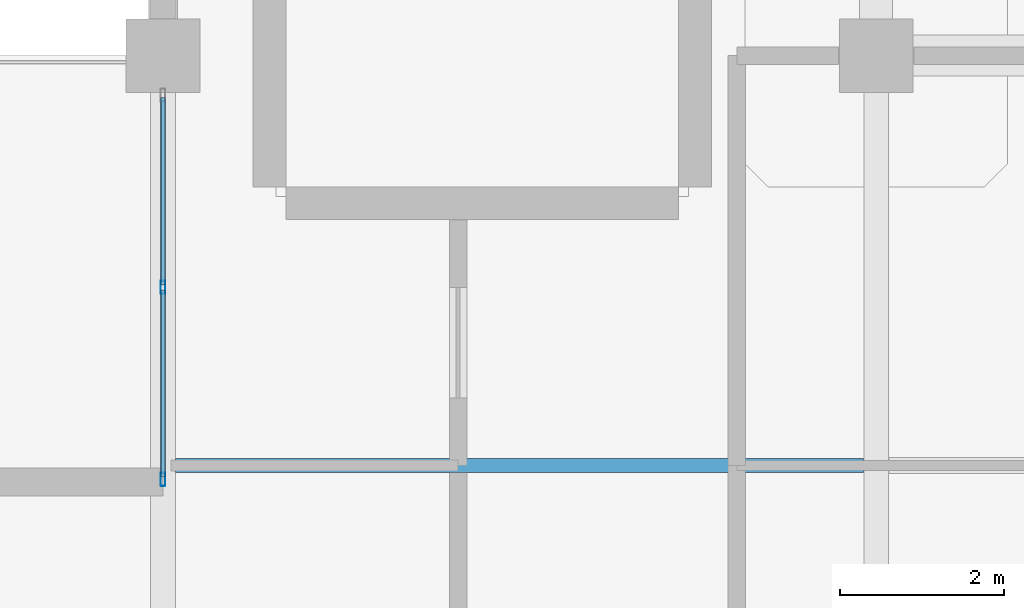
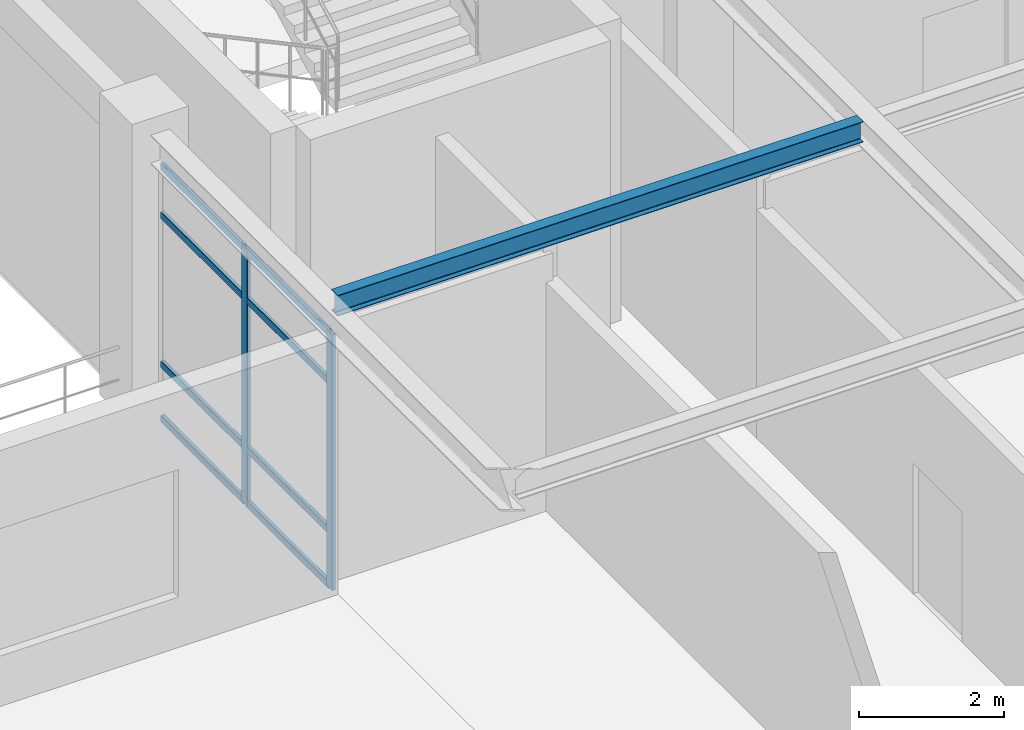
# One storey, part 23 of 120: 10 members, 1 beam, 1 element without a shape of its own.
"""IFC4 building model written with IfcOpenShell, lengths in metres."""

from ifc_helpers import new_model, si_unit, derived_unit, direction, frame, origin, origin_2d, place, context, subcontext, project, spatial, hollow_rectangle, i_section, extrude, material, layer, layer_set, material_profile, profile_set, type_object, element, aggregate, save


model = new_model("IFC4")

# Units and contexts
model_context = context("Model", 3, precision=1e-05, world=origin(), true_north=direction((0.0, 1.0)))
body_context = subcontext(model_context, "Body", "Model", "MODEL_VIEW")
ifc_project = project(units=[si_unit("LENGTHUNIT", "METRE"), si_unit("AREAUNIT", "SQUARE_METRE"), si_unit("VOLUMEUNIT", "CUBIC_METRE"), si_unit("PLANEANGLEUNIT", "RADIAN"), si_unit("MASSUNIT", "GRAM", prefix="KILO"), derived_unit("THERMALTRANSMITTANCEUNIT", [(si_unit("MASSUNIT", "GRAM", prefix="KILO"), 1), (si_unit("TIMEUNIT", "SECOND"), -3), (si_unit("THERMODYNAMICTEMPERATUREUNIT", "KELVIN"), -1)])], contexts=[model_context])

# Site, building, storey
site_placement = place(None, origin())
site = spatial("IfcSite", under=ifc_project, at=site_placement, CompositionType="ELEMENT")
building_placement = place(site_placement, origin())
building = spatial("IfcBuilding", under=site, at=building_placement, Name="Qinzheling Arcade Emporium", CompositionType="ELEMENT")
storey_placement = place(building_placement, frame((0.0, 0.0, 11.39990234375)))
storey = spatial("IfcBuildingStorey", under=building, at=storey_placement, Name="L03", CompositionType="ELEMENT", Elevation=11.39990234375)

# Beam
ifc_material_1 = material(Name="Structural steel Q355B", Category="steel")
ifc_material_profile_1 = material_profile(ifc_material_1, i_section(OverallWidth=0.175048828125, OverallDepth=0.35009765625, WebThickness=0.007080078125, FlangeThickness=0.010986328125, FilletRadius=0.013916015625, at=origin_2d()), Name="HN 350x175x7x11", Category="steel")
ifc_profile_set_1 = profile_set([ifc_material_profile_1], Name="Structural steel Q355B")
beam_type = type_object("IfcBeamType", Name="Canopy Secondary Joist HN350 Q355B", PredefinedType="JOIST", material=ifc_profile_set_1)
beam_placement = place(storey_placement, frame((34.955078125, 60.39990234375, 4.64501953125), z_axis=(1.0, 0.0, 0.0), x_axis=(0.0, 1.0, 0.0)))
element("IfcBeam", 1, at=beam_placement, inside=storey, type_object=beam_type, Name="Secondary Joist JST-L03-5-2", PredefinedType="JOIST", context=body_context, shape_type="SweptSolid", body=[
    extrude(i_section(OverallWidth=0.175048828125, OverallDepth=0.35009765625, WebThickness=0.007080078125, FlangeThickness=0.010986328125, FilletRadius=0.013916015625, at=origin_2d()), origin(), (0.0, 0.0, 1.0), 8.389892578125),
])

# Curtain wall, members
ifc_material_2 = material(Name="Anodised aluminium and solar-control double glazing", Category="aluminium")
ifc_layer = layer(ifc_material_2, 0.159912109375, Name="Anodised aluminium and solar-control double glazing", Category="aluminium")
ifc_layer_set = layer_set([ifc_layer], Name="Anodised aluminium and solar-control double glazing")
curtain_wall_type = type_object("IfcCurtainWallType", Name="Atrium Clerestory Curtain Wall", PredefinedType="NOTDEFINED", material=ifc_layer_set)
curtain_wall_placement = place(storey_placement, origin())
curtain_wall = element("IfcCurtainWall", 2, at=curtain_wall_placement, inside=storey, type_object=curtain_wall_type, Name="Curtain Wall CW-L03-173", PredefinedType="NOTDEFINED")
ifc_material_3 = material(Name="Anodised aluminium 6063-T6", Category="aluminium")
ifc_material_profile_2 = material_profile(ifc_material_3, hollow_rectangle(XDim=0.06005859375, YDim=0.159912109375, WallThickness=0.00390625, InnerFilletRadius=0.00390625, OuterFilletRadius=0.008056640625, at=origin_2d()), Name="RHS 160x60x4", Category="aluminium")
ifc_profile_set_2 = profile_set([ifc_material_profile_2], Name="Anodised aluminium 6063-T6")
member_type_1 = type_object("IfcMemberType", Name="Curtain Wall Mullion RHS160x60", PredefinedType="MULLION", material=ifc_profile_set_2)
member_1_placement = place(storey_placement, frame((34.800048828125, 60.22998046875, 0.0), z_axis=(0.0, 0.0, 1.0), x_axis=(-1.0, 0.0, 0.0)))
member_1 = element("IfcMember", 3, at=member_1_placement, type_object=member_type_1, Name="CW03 mullion 1", PredefinedType="MULLION", context=body_context, shape_type="SweptSolid", body=[
    extrude(hollow_rectangle(XDim=0.06005859375, YDim=0.159912109375, WallThickness=0.00390625, InnerFilletRadius=0.00390625, OuterFilletRadius=0.008056640625, at=origin_2d()), origin(), (0.0, 0.0, 1.0), 4.317138671875),
])
member_2_placement = place(storey_placement, frame((34.800048828125, 62.573974609375, 0.0), z_axis=(0.0, 0.0, 1.0), x_axis=(-1.0, 0.0, 0.0)))
member_2 = element("IfcMember", 4, at=member_2_placement, type_object=member_type_1, Name="CW03 mullion 2", PredefinedType="MULLION", context=body_context, shape_type="SweptSolid", body=[
    extrude(hollow_rectangle(XDim=0.06005859375, YDim=0.159912109375, WallThickness=0.00390625, InnerFilletRadius=0.00390625, OuterFilletRadius=0.008056640625, at=origin_2d()), origin(), (0.0, 0.0, 1.0), 4.317138671875),
])
ifc_material_profile_3 = material_profile(ifc_material_3, hollow_rectangle(XDim=0.06005859375, YDim=0.1201171875, WallThickness=0.00390625, InnerFilletRadius=0.00390625, OuterFilletRadius=0.008056640625, at=origin_2d()), Name="RHS 120x60x4", Category="aluminium")
ifc_profile_set_3 = profile_set([ifc_material_profile_3], Name="Anodised aluminium 6063-T6")
member_type_2 = type_object("IfcMemberType", Name="Curtain Wall Transom RHS120x60", PredefinedType="USERDEFINED", material=ifc_profile_set_3)
member_3_placement = place(storey_placement, frame((34.800048828125, 60.260009765625, 0.030029296875), z_axis=(0.0, 1.0, 0.0), x_axis=(-1.0, 0.0, 0.0)))
member_3 = element("IfcMember", 5, at=member_3_placement, type_object=member_type_2, Name="CW03 transom 1.1", ObjectType="TRANSOM", PredefinedType="USERDEFINED", context=body_context, shape_type="SweptSolid", body=[
    extrude(hollow_rectangle(XDim=0.06005859375, YDim=0.1201171875, WallThickness=0.00390625, InnerFilletRadius=0.00390625, OuterFilletRadius=0.008056640625, at=origin_2d()), origin(), (0.0, 0.0, 1.0), 2.283935546875),
])
member_4_placement = place(storey_placement, frame((34.800048828125, 60.260009765625, 0.9501953125), z_axis=(0.0, 1.0, 0.0), x_axis=(-1.0, 0.0, 0.0)))
member_4 = element("IfcMember", 6, at=member_4_placement, type_object=member_type_2, Name="CW03 transom 1.2", ObjectType="TRANSOM", PredefinedType="USERDEFINED", context=body_context, shape_type="SweptSolid", body=[
    extrude(hollow_rectangle(XDim=0.06005859375, YDim=0.1201171875, WallThickness=0.00390625, InnerFilletRadius=0.00390625, OuterFilletRadius=0.008056640625, at=origin_2d()), origin(), (0.0, 0.0, 1.0), 2.283935546875),
])
member_5_placement = place(storey_placement, frame((34.800048828125, 60.260009765625, 3.467041015625), z_axis=(0.0, 1.0, 0.0), x_axis=(-1.0, 0.0, 0.0)))
member_5 = element("IfcMember", 7, at=member_5_placement, type_object=member_type_2, Name="CW03 transom 1.3", ObjectType="TRANSOM", PredefinedType="USERDEFINED", context=body_context, shape_type="SweptSolid", body=[
    extrude(hollow_rectangle(XDim=0.06005859375, YDim=0.1201171875, WallThickness=0.00390625, InnerFilletRadius=0.00390625, OuterFilletRadius=0.008056640625, at=origin_2d()), origin(), (0.0, 0.0, 1.0), 2.283935546875),
])
member_6_placement = place(storey_placement, frame((34.800048828125, 60.260009765625, 4.287109375), z_axis=(0.0, 1.0, 0.0), x_axis=(-1.0, 0.0, 0.0)))
member_6 = element("IfcMember", 8, at=member_6_placement, type_object=member_type_2, Name="CW03 transom 1.4", ObjectType="TRANSOM", PredefinedType="USERDEFINED", context=body_context, shape_type="SweptSolid", body=[
    extrude(hollow_rectangle(XDim=0.06005859375, YDim=0.1201171875, WallThickness=0.00390625, InnerFilletRadius=0.00390625, OuterFilletRadius=0.008056640625, at=origin_2d()), origin(), (0.0, 0.0, 1.0), 2.283935546875),
])
member_7_placement = place(storey_placement, frame((34.800048828125, 62.60400390625, 0.030029296875), z_axis=(0.0, 1.0, 0.0), x_axis=(-1.0, 0.0, 0.0)))
member_7 = element("IfcMember", 9, at=member_7_placement, type_object=member_type_2, Name="CW03 transom 2.1", ObjectType="TRANSOM", PredefinedType="USERDEFINED", context=body_context, shape_type="SweptSolid", body=[
    extrude(hollow_rectangle(XDim=0.06005859375, YDim=0.1201171875, WallThickness=0.00390625, InnerFilletRadius=0.00390625, OuterFilletRadius=0.008056640625, at=origin_2d()), origin(), (0.0, 0.0, 1.0), 2.283935546875),
])
member_8_placement = place(storey_placement, frame((34.800048828125, 62.60400390625, 0.9501953125), z_axis=(0.0, 1.0, 0.0), x_axis=(-1.0, 0.0, 0.0)))
member_8 = element("IfcMember", 10, at=member_8_placement, type_object=member_type_2, Name="CW03 transom 2.2", ObjectType="TRANSOM", PredefinedType="USERDEFINED", context=body_context, shape_type="SweptSolid", body=[
    extrude(hollow_rectangle(XDim=0.06005859375, YDim=0.1201171875, WallThickness=0.00390625, InnerFilletRadius=0.00390625, OuterFilletRadius=0.008056640625, at=origin_2d()), origin(), (0.0, 0.0, 1.0), 2.283935546875),
])
member_9_placement = place(storey_placement, frame((34.800048828125, 62.60400390625, 3.467041015625), z_axis=(0.0, 1.0, 0.0), x_axis=(-1.0, 0.0, 0.0)))
member_9 = element("IfcMember", 11, at=member_9_placement, type_object=member_type_2, Name="CW03 transom 2.3", ObjectType="TRANSOM", PredefinedType="USERDEFINED", context=body_context, shape_type="SweptSolid", body=[
    extrude(hollow_rectangle(XDim=0.06005859375, YDim=0.1201171875, WallThickness=0.00390625, InnerFilletRadius=0.00390625, OuterFilletRadius=0.008056640625, at=origin_2d()), origin(), (0.0, 0.0, 1.0), 2.283935546875),
])
member_10_placement = place(storey_placement, frame((34.800048828125, 62.60400390625, 4.287109375), z_axis=(0.0, 1.0, 0.0), x_axis=(-1.0, 0.0, 0.0)))
member_10 = element("IfcMember", 12, at=member_10_placement, type_object=member_type_2, Name="CW03 transom 2.4", ObjectType="TRANSOM", PredefinedType="USERDEFINED", context=body_context, shape_type="SweptSolid", body=[
    extrude(hollow_rectangle(XDim=0.06005859375, YDim=0.1201171875, WallThickness=0.00390625, InnerFilletRadius=0.00390625, OuterFilletRadius=0.008056640625, at=origin_2d()), origin(), (0.0, 0.0, 1.0), 2.283935546875),
])
aggregate(curtain_wall, [member_1, member_2, member_3, member_4, member_5, member_6, member_7, member_8, member_9, member_10])

save(model, "model.ifc")
